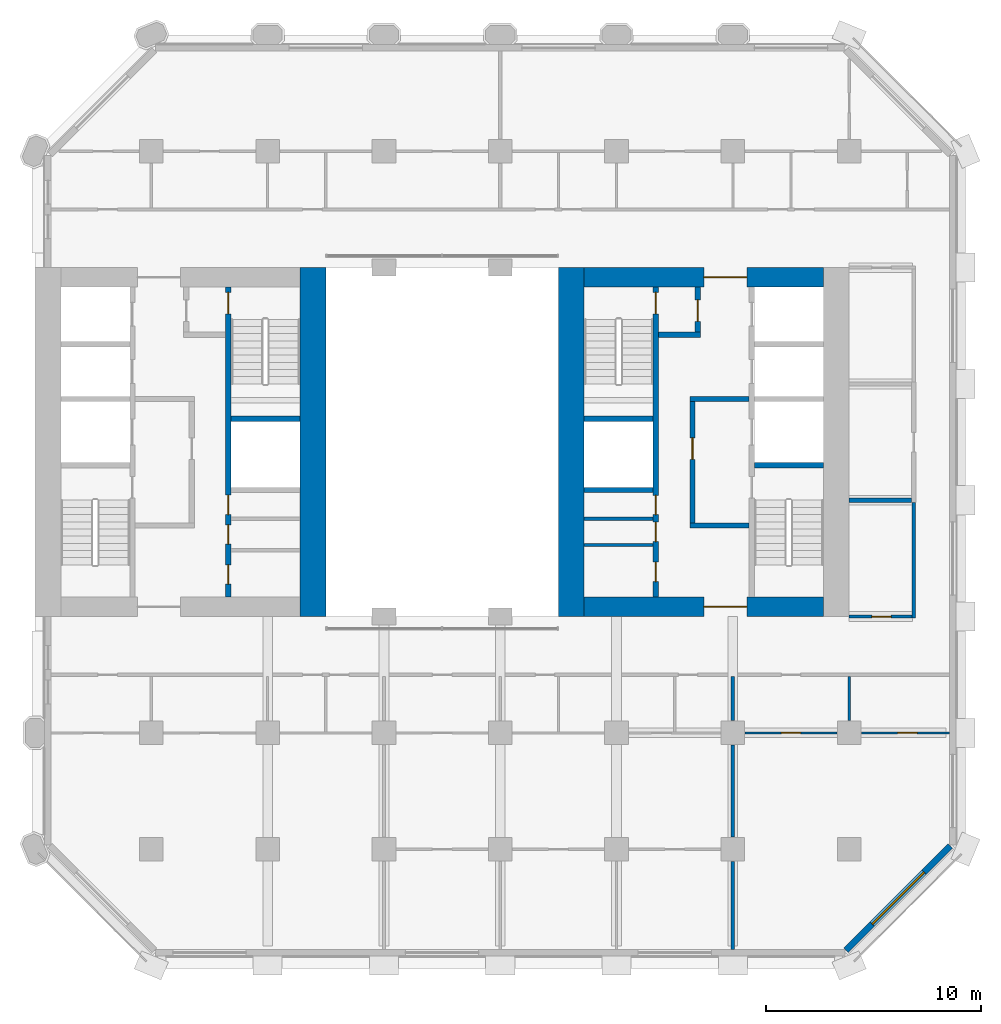
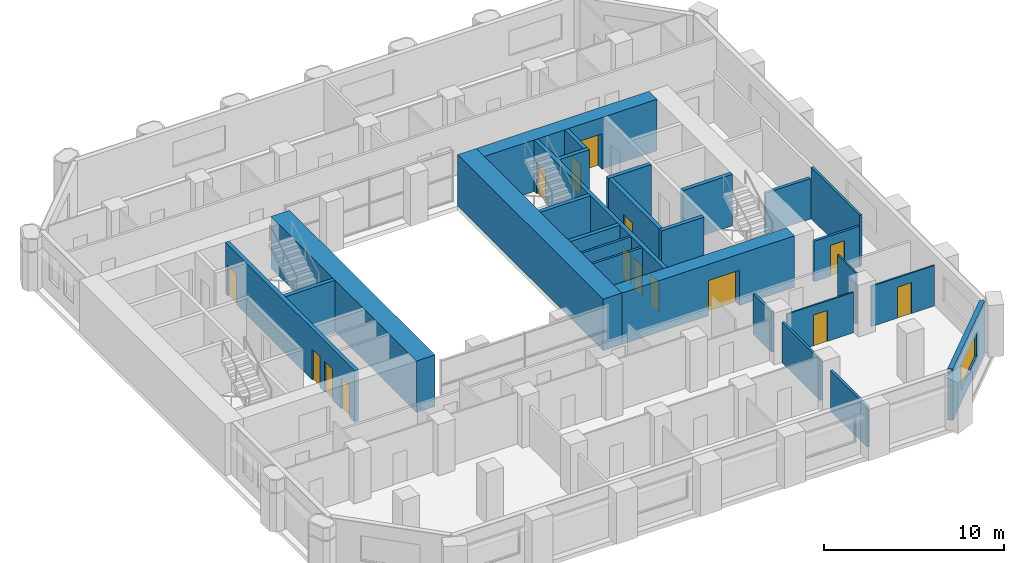
# One storey, part 9 of 13: 27 walls, 15 doors, 1 window, 16 openings.
"""IFC4 building model written with IfcOpenShell, lengths in metres."""

from ifc_helpers import new_model, si_unit, direction, frame, frame_2d, origin, place, context, subcontext, project, spatial, rectangle, extrude, material, layer, layer_set, type_object, element, fill, save


model = new_model("IFC4")

# Units and contexts
model_context = context("Model", 3, precision=1e-05, world=origin(), true_north=direction((0.0, 1.0)))
body_context = subcontext(model_context, "Body", "Model", "MODEL_VIEW")
ifc_project = project(units=[si_unit("LENGTHUNIT", "METRE"), si_unit("AREAUNIT", "SQUARE_METRE"), si_unit("VOLUMEUNIT", "CUBIC_METRE"), si_unit("PLANEANGLEUNIT", "RADIAN"), si_unit("MASSUNIT", "GRAM", prefix="KILO")], contexts=[model_context])

# Site, building, storey
site_placement = place(None, origin())
site = spatial("IfcSite", under=ifc_project, at=site_placement, CompositionType="ELEMENT")
building_placement = place(site_placement, origin())
building = spatial("IfcBuilding", under=site, at=building_placement, Name="Tabaq Tower and Sports Hall", CompositionType="ELEMENT")
storey_placement = place(building_placement, frame((0.0, 0.0, 41.199951171875)))
storey = spatial("IfcBuildingStorey", under=building, at=storey_placement, Name="L08", CompositionType="ELEMENT", Elevation=41.199951171875)

# Walls
ifc_material_1 = material(Name="Blockwork", Category="masonry")
ifc_layer_1 = layer(ifc_material_1, 0.14990234375)
ifc_layer_set_1 = layer_set([ifc_layer_1], Name="Core room partition 150 Blockwork")
wall_type_1 = type_object("IfcWallType", Name="Core room partition 150 Blockwork", PredefinedType="PARTITIONING", material=ifc_layer_set_1)
for number, where, z_axis, x_axis, name in (
    (1, (30.89990234375, 19.52490234375, 0.0), (0.0, 0.0, 1.0), (1.0, 0.0, 0.0), "Core room partition E L08"),
    (2, (30.89990234375, 20.737060546875, 0.0), (0.0, 0.0, 1.0), (1.0, 0.0, 0.0), "Core room partition E L08"),
):
    element("IfcWall", number, at=place(storey_placement, frame(where, z_axis=z_axis, x_axis=x_axis)), inside=storey, type_object=wall_type_1, Name=name, PredefinedType="PARTITIONING", context=body_context, shape_type="SweptSolid", body=[
        extrude(rectangle(XDim=3.2001953125, YDim=0.14990234375, at=frame_2d((1.60009765625, 0.0))), origin(), (0.0, 0.0, 1.0), 3.5),
    ])
ifc_material_2 = material(Name="Concrete C60/75", Category="concrete")
ifc_layer_2 = layer(ifc_material_2, 1.199951171875)
ifc_layer_set_2 = layer_set([ifc_layer_2], Name="Core wall 1200 Concrete C60/75")
wall_type_2 = type_object("IfcWallType", Name="Core wall 1200 Concrete C60/75", PredefinedType="SOLIDWALL", material=ifc_layer_set_2)
for number, where, z_axis, x_axis, name in (
    (3, (18.300048828125, 32.39990234375, 0.0), (0.0, 0.0, 1.0), (0.0, -1.0, 0.0), "Core wall W L08"),
    (4, (30.300048828125, 16.199951171875, 0.0), (0.0, 0.0, 1.0), (0.0, 1.0, 0.0), "Core wall E L08"),
):
    element("IfcWall", number, at=place(storey_placement, frame(where, z_axis=z_axis, x_axis=x_axis)), inside=storey, type_object=wall_type_2, Name=name, PredefinedType="SOLIDWALL", context=body_context, shape_type="SweptSolid", body=[
        extrude(rectangle(XDim=16.199951171875, YDim=1.199951171875, at=frame_2d((8.10009765625, 0.0))), origin(), (0.0, 0.0, 1.0), 3.5),
    ])

# Wall, opening, door
ifc_material_3 = material(Name="Concrete C60/75", Category="concrete")
ifc_layer_3 = layer(ifc_material_3, 0.89990234375)
ifc_layer_set_3 = layer_set([ifc_layer_3], Name="Core wall 900 Concrete C60/75")
wall_type_3 = type_object("IfcWallType", Name="Core wall 900 Concrete C60/75", PredefinedType="SOLIDWALL", material=ifc_layer_set_3)
wall_1_placement = place(storey_placement, frame((42.0, 16.64990234375, 0.0), z_axis=(0.0, 0.0, 1.0), x_axis=(-1.0, 0.0, 0.0)))
wall_1 = element("IfcWall", 5, at=wall_1_placement, inside=storey, type_object=wall_type_3, Name="Core wall E L08", PredefinedType="SOLIDWALL", context=body_context, shape_type="SweptSolid", body=[
    extrude(rectangle(XDim=11.10009765625, YDim=0.89990234375, at=frame_2d((5.550048828125, 0.0))), origin(), (0.0, 0.0, 1.0), 3.5),
])
opening_1_placement = place(wall_1_placement, frame((3.550048828125, 0.0, 0.0)))
opening_1 = element("IfcOpeningElement", 6, at=opening_1_placement, cuts=wall_1, Name="Opening PD-EL08-01", PredefinedType="OPENING", context=body_context, shape_type="SweptSolid", body=[
    extrude(rectangle(XDim=2.0, YDim=2.39990234375, at=frame_2d((1.0, 1.199951171875))), frame((0.0, 0.449951171875, 0.0), z_axis=(0.0, -1.0, 0.0), x_axis=(1.0, 0.0, 0.0)), (0.0, 0.0, 1.0), 0.89990234375),
])
ifc_material_4 = material(Name="Steel fire door", Category="steel")
door_type_1 = type_object("IfcDoorType", Name="Core entrance door 2000", OperationType="DOUBLE_DOOR_SINGLE_SWING", PredefinedType="DOOR", material=ifc_material_4)
door_1_placement = place(opening_1_placement, origin())
door_1 = element("IfcDoor", 7, at=door_1_placement, inside=storey, type_object=door_type_1, Name="Core entrance south E L08", OperationType="DOUBLE_DOOR_SINGLE_SWING", OverallHeight=2.39990234375, OverallWidth=2.0, PredefinedType="DOOR", context=body_context, shape_type="SweptSolid", body=[
    extrude(rectangle(XDim=2.0, YDim=2.39990234375, at=frame_2d((1.0, 1.199951171875))), frame((0.0, 0.02490234375, 0.0), z_axis=(0.0, -1.0, 0.0), x_axis=(1.0, 0.0, 0.0)), (0.0, 0.0, 1.0), 0.050048828125),
])
fill(opening_1, door_1)

wall_2_placement = place(storey_placement, frame((30.89990234375, 31.949951171875, 0.0), z_axis=(0.0, 0.0, 1.0), x_axis=(1.0, 0.0, 0.0)))
wall_2 = element("IfcWall", 8, at=wall_2_placement, inside=storey, type_object=wall_type_3, Name="Core wall E L08", PredefinedType="SOLIDWALL", context=body_context, shape_type="SweptSolid", body=[
    extrude(rectangle(XDim=11.10009765625, YDim=0.89990234375, at=frame_2d((5.550048828125, 0.0))), origin(), (0.0, 0.0, 1.0), 3.5),
])
opening_2_placement = place(wall_2_placement, frame((5.550048828125, 0.0, 0.0)))
opening_2 = element("IfcOpeningElement", 9, at=opening_2_placement, cuts=wall_2, Name="Opening PD-EL08-02", PredefinedType="OPENING", context=body_context, shape_type="SweptSolid", body=[
    extrude(rectangle(XDim=2.0, YDim=2.39990234375, at=frame_2d((1.0, 1.199951171875))), frame((0.0, 0.449951171875, 0.0), z_axis=(0.0, -1.0, 0.0), x_axis=(1.0, 0.0, 0.0)), (0.0, 0.0, 1.0), 0.89990234375),
])
door_2_placement = place(opening_2_placement, origin())
door_2 = element("IfcDoor", 10, at=door_2_placement, inside=storey, type_object=door_type_1, Name="Core entrance north E L08", OperationType="DOUBLE_DOOR_SINGLE_SWING", OverallHeight=2.39990234375, OverallWidth=2.0, PredefinedType="DOOR", context=body_context, shape_type="SweptSolid", body=[
    extrude(rectangle(XDim=2.0, YDim=2.39990234375, at=frame_2d((1.0, 1.199951171875))), frame((0.0, 0.02490234375, 0.0), z_axis=(0.0, -1.0, 0.0), x_axis=(1.0, 0.0, 0.0)), (0.0, 0.0, 1.0), 0.050048828125),
])
fill(opening_2, door_2)

# Wall
ifc_material_5 = material(Name="Blockwork", Category="masonry")
ifc_layer_4 = layer(ifc_material_5, 0.199951171875)
ifc_layer_set_4 = layer_set([ifc_layer_4], Name="Fire compartment wall 200 Blockwork")
wall_type_4 = type_object("IfcWallType", Name="Fire compartment wall 200 Blockwork", PredefinedType="PARTITIONING", material=ifc_layer_set_4)
wall_3_placement = place(storey_placement, frame((46.10009765625, 21.60009765625, 0.0), z_axis=(0.0, 0.0, 1.0), x_axis=(-1.0, 0.0, 0.0)))
element("IfcWall", 11, at=wall_3_placement, inside=storey, type_object=wall_type_4, Name="Compartment wall L08", PredefinedType="PARTITIONING", context=body_context, shape_type="SweptSolid", body=[
    extrude(rectangle(XDim=2.900146484375, YDim=0.199951171875, at=frame_2d((1.4501953125, 0.0))), origin(), (0.0, 0.0, 1.0), 2.75),
])

# Wall, opening, door
ifc_material_6 = material(Name="Gypsum board on steel studs", Category="steel")
ifc_layer_5 = layer(ifc_material_6, 0.10009765625)
ifc_layer_set_5 = layer_set([ifc_layer_5], Name="Partition 100 Gypsum board")
wall_type_5 = type_object("IfcWallType", Name="Partition 100 Gypsum board", PredefinedType="PARTITIONING", material=ifc_layer_set_5)
wall_4_placement = place(storey_placement, frame((38.3701171875, 10.800048828125, 0.0), z_axis=(0.0, 0.0, 1.0), x_axis=(1.0, 0.0, 0.0)))
wall_4 = element("IfcWall", 12, at=wall_4_placement, inside=storey, type_object=wall_type_5, Name="Partition wall L08", PredefinedType="PARTITIONING", context=body_context, shape_type="SweptSolid", body=[
    extrude(rectangle(XDim=4.259765625, YDim=0.10009765625, at=frame_2d((2.1298828125, 0.0))), origin(), (0.0, 0.0, 1.0), 2.75),
])
opening_3_placement = place(wall_4_placement, frame((1.679931640625, 0.0, 0.0)))
opening_3 = element("IfcOpeningElement", 13, at=opening_3_placement, cuts=wall_4, Name="Opening L08-030", PredefinedType="OPENING", context=body_context, shape_type="SweptSolid", body=[
    extrude(rectangle(XDim=0.89990234375, YDim=2.10009765625, at=frame_2d((0.449951171875, 1.050048828125))), frame((0.0, 0.050048828125, 0.0), z_axis=(0.0, -1.0, 0.0), x_axis=(1.0, 0.0, 0.0)), (0.0, 0.0, 1.0), 0.10009765625),
])
ifc_material_7 = material(Name="Timber leaf in steel frame", Category="steel")
door_type_2 = type_object("IfcDoorType", Name="Internal door 900 left hand", OperationType="SINGLE_SWING_LEFT", PredefinedType="DOOR", material=ifc_material_7)
door_3_placement = place(opening_3_placement, origin())
door_3 = element("IfcDoor", 14, at=door_3_placement, inside=storey, type_object=door_type_2, Name="Internal door L08-030", OperationType="SINGLE_SWING_LEFT", OverallHeight=2.10009765625, OverallWidth=0.89990234375, PredefinedType="DOOR", context=body_context, shape_type="SweptSolid", body=[
    extrude(rectangle(XDim=0.89990234375, YDim=2.10009765625, at=frame_2d((0.449951171875, 1.050048828125))), frame((0.0, 0.02490234375, 0.0), z_axis=(0.0, -1.0, 0.0), x_axis=(1.0, 0.0, 0.0)), (0.0, 0.0, 1.0), 0.050048828125),
])
fill(opening_3, door_3)

# Wall
wall_5_placement = place(storey_placement, frame((43.199951171875, 11.3701171875, 0.0), z_axis=(0.0, 0.0, 1.0), x_axis=(0.0, 1.0, 0.0)))
element("IfcWall", 15, at=wall_5_placement, inside=storey, type_object=wall_type_5, Name="Partition wall L08", PredefinedType="PARTITIONING", context=body_context, shape_type="SweptSolid", body=[
    extrude(rectangle(XDim=2.054931640625, YDim=0.10009765625, at=frame_2d((1.02734375, 0.0))), origin(), (0.0, 0.0, 1.0), 3.5),
])

# Wall, opening, door
wall_6_placement = place(storey_placement, frame((43.77001953125, 10.800048828125, 0.0), z_axis=(0.0, 0.0, 1.0), x_axis=(1.0, 0.0, 0.0)))
wall_6 = element("IfcWall", 16, at=wall_6_placement, inside=storey, type_object=wall_type_5, Name="Partition wall L08", PredefinedType="PARTITIONING", context=body_context, shape_type="SweptSolid", body=[
    extrude(rectangle(XDim=4.0791015625, YDim=0.10009765625, at=frame_2d((2.03955078125, 0.0))), origin(), (0.0, 0.0, 1.0), 2.75),
])
opening_4_placement = place(wall_6_placement, frame((1.679931640625, 0.0, 0.0)))
opening_4 = element("IfcOpeningElement", 17, at=opening_4_placement, cuts=wall_6, Name="Opening L08-022", PredefinedType="OPENING", context=body_context, shape_type="SweptSolid", body=[
    extrude(rectangle(XDim=0.89990234375, YDim=2.10009765625, at=frame_2d((0.449951171875, 1.050048828125))), frame((0.0, 0.050048828125, 0.0), z_axis=(0.0, -1.0, 0.0), x_axis=(1.0, 0.0, 0.0)), (0.0, 0.0, 1.0), 0.10009765625),
])
ifc_material_8 = material(Name="Timber leaf in steel frame", Category="steel")
door_type_3 = type_object("IfcDoorType", Name="Internal door 900 right hand", OperationType="SINGLE_SWING_RIGHT", PredefinedType="DOOR", material=ifc_material_8)
door_4_placement = place(opening_4_placement, origin())
door_4 = element("IfcDoor", 18, at=door_4_placement, inside=storey, type_object=door_type_3, Name="Internal door L08-022", OperationType="SINGLE_SWING_RIGHT", OverallHeight=2.10009765625, OverallWidth=0.89990234375, PredefinedType="DOOR", context=body_context, shape_type="SweptSolid", body=[
    extrude(rectangle(XDim=0.89990234375, YDim=2.10009765625, at=frame_2d((0.449951171875, 1.050048828125))), frame((0.0, 0.02490234375, 0.0), z_axis=(0.0, -1.0, 0.0), x_axis=(1.0, 0.0, 0.0)), (0.0, 0.0, 1.0), 0.050048828125),
])
fill(opening_4, door_4)

# Wall
ifc_material_9 = material(Name="Blockwork", Category="masonry")
ifc_layer_6 = layer(ifc_material_9, 0.14990234375)
ifc_layer_set_6 = layer_set([ifc_layer_6], Name="Separating wall 150 Blockwork")
wall_type_6 = type_object("IfcWallType", Name="Separating wall 150 Blockwork", PredefinedType="PARTITIONING", material=ifc_layer_set_6)
wall_7_placement = place(storey_placement, frame((46.199951171875, 21.5, 0.0), z_axis=(0.0, 0.0, 1.0), x_axis=(0.0, -1.0, 0.0)))
element("IfcWall", 19, at=wall_7_placement, inside=storey, type_object=wall_type_6, Name="Separating wall L08", PredefinedType="PARTITIONING", context=body_context, shape_type="SweptSolid", body=[
    extrude(rectangle(XDim=5.375, YDim=0.14990234375, at=frame_2d((2.6875, 0.0))), origin(), (0.0, 0.0, 1.0), 3.5),
])

# Wall, opening, door
wall_8_placement = place(storey_placement, frame((46.125, 16.199951171875, 0.0), z_axis=(0.0, 0.0, 1.0), x_axis=(-1.0, 0.0, 0.0)))
wall_8 = element("IfcWall", 20, at=wall_8_placement, inside=storey, type_object=wall_type_6, Name="Separating wall L08", PredefinedType="PARTITIONING", context=body_context, shape_type="SweptSolid", body=[
    extrude(rectangle(XDim=2.925048828125, YDim=0.14990234375, at=frame_2d((1.46240234375, 0.0))), origin(), (0.0, 0.0, 1.0), 2.75),
])
opening_5_placement = place(wall_8_placement, frame((0.97509765625, 0.0, 0.0)))
opening_5 = element("IfcOpeningElement", 21, at=opening_5_placement, cuts=wall_8, Name="Opening L08-009", PredefinedType="OPENING", context=body_context, shape_type="SweptSolid", body=[
    extrude(rectangle(XDim=0.89990234375, YDim=2.10009765625, at=frame_2d((0.449951171875, 1.050048828125))), frame((0.0, 0.074951171875, 0.0), z_axis=(0.0, -1.0, 0.0), x_axis=(1.0, 0.0, 0.0)), (0.0, 0.0, 1.0), 0.14990234375),
])
door_5_placement = place(opening_5_placement, origin())
door_5 = element("IfcDoor", 22, at=door_5_placement, inside=storey, type_object=door_type_3, Name="Internal door L08-009", OperationType="SINGLE_SWING_RIGHT", OverallHeight=2.10009765625, OverallWidth=0.89990234375, PredefinedType="DOOR", context=body_context, shape_type="SweptSolid", body=[
    extrude(rectangle(XDim=0.89990234375, YDim=2.10009765625, at=frame_2d((0.449951171875, 1.050048828125))), frame((0.0, 0.02490234375, 0.0), z_axis=(0.0, -1.0, 0.0), x_axis=(1.0, 0.0, 0.0)), (0.0, 0.0, 1.0), 0.050048828125),
])
fill(opening_5, door_5)

# Walls
wall_9_placement = place(storey_placement, frame((37.800048828125, 11.3701171875, 0.0), z_axis=(0.0, 0.0, 1.0), x_axis=(0.0, 1.0, 0.0)))
element("IfcWall", 23, at=wall_9_placement, inside=storey, type_object=wall_type_6, Name="Separating wall L08", PredefinedType="PARTITIONING", context=body_context, shape_type="SweptSolid", body=[
    extrude(rectangle(XDim=2.054931640625, YDim=0.14990234375, at=frame_2d((1.02734375, 0.0))), origin(), (0.0, 0.0, 1.0), 2.75),
])
wall_10_placement = place(storey_placement, frame((37.800048828125, 5.969970703125, 0.0), z_axis=(0.0, 0.0, 1.0), x_axis=(0.0, 1.0, 0.0)))
element("IfcWall", 24, at=wall_10_placement, inside=storey, type_object=wall_type_6, Name="Separating wall L08", PredefinedType="PARTITIONING", context=body_context, shape_type="SweptSolid", body=[
    extrude(rectangle(XDim=4.260009765625, YDim=0.14990234375, at=frame_2d((2.1298828125, 0.0))), origin(), (0.0, 0.0, 1.0), 2.75),
])
wall_11_placement = place(storey_placement, frame((37.800048828125, 0.7509765625, 0.0), z_axis=(0.0, 0.0, 1.0), x_axis=(0.0, 1.0, 0.0)))
element("IfcWall", 25, at=wall_11_placement, inside=storey, type_object=wall_type_6, Name="Separating wall L08", PredefinedType="PARTITIONING", context=body_context, shape_type="SweptSolid", body=[
    extrude(rectangle(XDim=4.0791015625, YDim=0.14990234375, at=frame_2d((2.03955078125, 0.0))), origin(), (0.0, 0.0, 1.0), 2.75),
])

# Wall, openings, doors
ifc_material_10 = material(Name="Concrete C40/50", Category="concrete")
ifc_layer_7 = layer(ifc_material_10, 0.25)
ifc_layer_set_7 = layer_set([ifc_layer_7], Name="Shaft and stair wall 250 Concrete C40/50")
wall_type_7 = type_object("IfcWallType", Name="Shaft and stair wall 250 Concrete C40/50", PredefinedType="SOLIDWALL", material=ifc_layer_set_7)
wall_12_placement = place(storey_placement, frame((14.375, 17.10009765625, 0.0), z_axis=(0.0, 0.0, 1.0), x_axis=(0.0, 1.0, 0.0)))
wall_12 = element("IfcWall", 26, at=wall_12_placement, inside=storey, type_object=wall_type_7, Name="Shaft wall W L08", PredefinedType="SOLIDWALL", context=body_context, shape_type="SweptSolid", body=[
    extrude(rectangle(XDim=14.39990234375, YDim=0.25, at=frame_2d((7.199951171875, 0.0))), origin(), (0.0, 0.0, 1.0), 3.5),
])
opening_6_placement = place(wall_12_placement, frame((13.14990234375, 0.0, 0.0)))
opening_6 = element("IfcOpeningElement", 27, at=opening_6_placement, cuts=wall_12, Name="Opening SD-WL08-05", PredefinedType="OPENING", context=body_context, shape_type="SweptSolid", body=[
    extrude(rectangle(XDim=1.0, YDim=2.10009765625, at=frame_2d((0.5, 1.050048828125))), frame((0.0, 0.125, 0.0), z_axis=(0.0, -1.0, 0.0), x_axis=(1.0, 0.0, 0.0)), (0.0, 0.0, 1.0), 0.25),
])
opening_7_placement = place(wall_12_placement, frame((0.60400390625, 0.0, 0.0)))
opening_7 = element("IfcOpeningElement", 28, at=opening_7_placement, cuts=wall_12, Name="Opening RD-WL08-10", PredefinedType="OPENING", context=body_context, shape_type="SweptSolid", body=[
    extrude(rectangle(XDim=0.89990234375, YDim=2.10009765625, at=frame_2d((0.449951171875, 1.050048828125))), frame((0.0, 0.125, 0.0), z_axis=(0.0, -1.0, 0.0), x_axis=(1.0, 0.0, 0.0)), (0.0, 0.0, 1.0), 0.25),
])
opening_8_placement = place(wall_12_placement, frame((2.46044921875, 0.0, 0.0)))
opening_8 = element("IfcOpeningElement", 29, at=opening_8_placement, cuts=wall_12, Name="Opening RD-WL08-11", PredefinedType="OPENING", context=body_context, shape_type="SweptSolid", body=[
    extrude(rectangle(XDim=0.89990234375, YDim=2.10009765625, at=frame_2d((0.449951171875, 1.050048828125))), frame((0.0, 0.125, 0.0), z_axis=(0.0, -1.0, 0.0), x_axis=(1.0, 0.0, 0.0)), (0.0, 0.0, 1.0), 0.25),
])
opening_9_placement = place(wall_12_placement, frame((3.83154296875, 0.0, 0.0)))
opening_9 = element("IfcOpeningElement", 30, at=opening_9_placement, cuts=wall_12, Name="Opening RD-WL08-12", PredefinedType="OPENING", context=body_context, shape_type="SweptSolid", body=[
    extrude(rectangle(XDim=0.89990234375, YDim=2.10009765625, at=frame_2d((0.449951171875, 1.050048828125))), frame((0.0, 0.125, 0.0), z_axis=(0.0, -1.0, 0.0), x_axis=(1.0, 0.0, 0.0)), (0.0, 0.0, 1.0), 0.25),
])
ifc_material_11 = material(Name="Steel fire door", Category="steel")
door_type_4 = type_object("IfcDoorType", Name="Core room door 900", OperationType="SINGLE_SWING_LEFT", PredefinedType="DOOR", material=ifc_material_11)
door_6_placement = place(opening_7_placement, origin())
door_6 = element("IfcDoor", 31, at=door_6_placement, inside=storey, type_object=door_type_4, Name="Door Unisex WC W L08", OperationType="SINGLE_SWING_LEFT", OverallHeight=2.10009765625, OverallWidth=0.89990234375, PredefinedType="DOOR", context=body_context, shape_type="SweptSolid", body=[
    extrude(rectangle(XDim=0.89990234375, YDim=2.10009765625, at=frame_2d((0.449951171875, 1.050048828125))), frame((0.0, 0.02490234375, 0.0), z_axis=(0.0, -1.0, 0.0), x_axis=(1.0, 0.0, 0.0)), (0.0, 0.0, 1.0), 0.050048828125),
])
fill(opening_7, door_6)
door_7_placement = place(opening_8_placement, origin())
door_7 = element("IfcDoor", 32, at=door_7_placement, inside=storey, type_object=door_type_4, Name="Door Accessible WC W L08", OperationType="SINGLE_SWING_LEFT", OverallHeight=2.10009765625, OverallWidth=0.89990234375, PredefinedType="DOOR", context=body_context, shape_type="SweptSolid", body=[
    extrude(rectangle(XDim=0.89990234375, YDim=2.10009765625, at=frame_2d((0.449951171875, 1.050048828125))), frame((0.0, 0.02490234375, 0.0), z_axis=(0.0, -1.0, 0.0), x_axis=(1.0, 0.0, 0.0)), (0.0, 0.0, 1.0), 0.050048828125),
])
fill(opening_8, door_7)
door_8_placement = place(opening_9_placement, origin())
door_8 = element("IfcDoor", 33, at=door_8_placement, inside=storey, type_object=door_type_4, Name="Door Electrical Riser Room W L08", OperationType="SINGLE_SWING_LEFT", OverallHeight=2.10009765625, OverallWidth=0.89990234375, PredefinedType="DOOR", context=body_context, shape_type="SweptSolid", body=[
    extrude(rectangle(XDim=0.89990234375, YDim=2.10009765625, at=frame_2d((0.449951171875, 1.050048828125))), frame((0.0, 0.02490234375, 0.0), z_axis=(0.0, -1.0, 0.0), x_axis=(1.0, 0.0, 0.0)), (0.0, 0.0, 1.0), 0.050048828125),
])
fill(opening_9, door_8)
ifc_material_12 = material(Name="Steel fire door", Category="steel")
door_type_5 = type_object("IfcDoorType", Name="Stair door 1000", OperationType="SINGLE_SWING_LEFT", PredefinedType="DOOR", material=ifc_material_12)
door_9_placement = place(opening_6_placement, origin())
door_9 = element("IfcDoor", 34, at=door_9_placement, inside=storey, type_object=door_type_5, Name="Stair door ST2 W L08", OperationType="SINGLE_SWING_LEFT", OverallHeight=2.10009765625, OverallWidth=1.0, PredefinedType="DOOR", context=body_context, shape_type="SweptSolid", body=[
    extrude(rectangle(XDim=1.0, YDim=2.10009765625, at=frame_2d((0.5, 1.050048828125))), frame((0.0, 0.02490234375, 0.0), z_axis=(0.0, -1.0, 0.0), x_axis=(1.0, 0.0, 0.0)), (0.0, 0.0, 1.0), 0.050048828125),
])
fill(opening_6, door_9)

# Wall
wall_13_placement = place(storey_placement, frame((14.5, 25.375, 0.0), z_axis=(0.0, 0.0, 1.0), x_axis=(1.0, 0.0, 0.0)))
element("IfcWall", 35, at=wall_13_placement, inside=storey, type_object=wall_type_7, Name="Stair enclosure wall W L08", PredefinedType="SOLIDWALL", context=body_context, shape_type="SweptSolid", body=[
    extrude(rectangle(XDim=3.199951171875, YDim=0.25, at=frame_2d((1.60009765625, 0.0))), origin(), (0.0, 0.0, 1.0), 3.5),
])

# Wall, openings, doors
wall_14_placement = place(storey_placement, frame((34.22509765625, 17.10009765625, 0.0), z_axis=(0.0, 0.0, 1.0), x_axis=(0.0, 1.0, 0.0)))
wall_14 = element("IfcWall", 36, at=wall_14_placement, inside=storey, type_object=wall_type_7, Name="Shaft wall E L08", PredefinedType="SOLIDWALL", context=body_context, shape_type="SweptSolid", body=[
    extrude(rectangle(XDim=14.39990234375, YDim=0.25, at=frame_2d((7.199951171875, 0.0))), origin(), (0.0, 0.0, 1.0), 3.5),
])
opening_10_placement = place(wall_14_placement, frame((13.14990234375, 0.0, 0.0)))
opening_10 = element("IfcOpeningElement", 37, at=opening_10_placement, cuts=wall_14, Name="Opening SD-EL08-05", PredefinedType="OPENING", context=body_context, shape_type="SweptSolid", body=[
    extrude(rectangle(XDim=1.0, YDim=2.10009765625, at=frame_2d((0.5, 1.050048828125))), frame((0.0, 0.125, 0.0), z_axis=(0.0, -1.0, 0.0), x_axis=(1.0, 0.0, 0.0)), (0.0, 0.0, 1.0), 0.25),
])
opening_11_placement = place(wall_14_placement, frame((0.72509765625, 0.0, 0.0)))
opening_11 = element("IfcOpeningElement", 38, at=opening_11_placement, cuts=wall_14, Name="Opening RD-EL08-10", PredefinedType="OPENING", context=body_context, shape_type="SweptSolid", body=[
    extrude(rectangle(XDim=0.89990234375, YDim=2.10009765625, at=frame_2d((0.449951171875, 1.050048828125))), frame((0.0, 0.125, 0.0), z_axis=(0.0, -1.0, 0.0), x_axis=(1.0, 0.0, 0.0)), (0.0, 0.0, 1.0), 0.25),
])
opening_12_placement = place(wall_14_placement, frame((2.5810546875, 0.0, 0.0)))
opening_12 = element("IfcOpeningElement", 39, at=opening_12_placement, cuts=wall_14, Name="Opening RD-EL08-11", PredefinedType="OPENING", context=body_context, shape_type="SweptSolid", body=[
    extrude(rectangle(XDim=0.89990234375, YDim=2.10009765625, at=frame_2d((0.449951171875, 1.050048828125))), frame((0.0, 0.125, 0.0), z_axis=(0.0, -1.0, 0.0), x_axis=(1.0, 0.0, 0.0)), (0.0, 0.0, 1.0), 0.25),
])
opening_13_placement = place(wall_14_placement, frame((3.8310546875, 0.0, 0.0)))
opening_13 = element("IfcOpeningElement", 40, at=opening_13_placement, cuts=wall_14, Name="Opening RD-EL08-12", PredefinedType="OPENING", context=body_context, shape_type="SweptSolid", body=[
    extrude(rectangle(XDim=0.89990234375, YDim=2.10009765625, at=frame_2d((0.449951171875, 1.050048828125))), frame((0.0, 0.125, 0.0), z_axis=(0.0, -1.0, 0.0), x_axis=(1.0, 0.0, 0.0)), (0.0, 0.0, 1.0), 0.25),
])
door_10_placement = place(opening_11_placement, origin())
door_10 = element("IfcDoor", 41, at=door_10_placement, inside=storey, type_object=door_type_4, Name="Door Unisex WC E L08", OperationType="SINGLE_SWING_LEFT", OverallHeight=2.10009765625, OverallWidth=0.89990234375, PredefinedType="DOOR", context=body_context, shape_type="SweptSolid", body=[
    extrude(rectangle(XDim=0.89990234375, YDim=2.10009765625, at=frame_2d((0.449951171875, 1.050048828125))), frame((0.0, 0.02490234375, 0.0), z_axis=(0.0, -1.0, 0.0), x_axis=(1.0, 0.0, 0.0)), (0.0, 0.0, 1.0), 0.050048828125),
])
fill(opening_11, door_10)
door_11_placement = place(opening_12_placement, origin())
door_11 = element("IfcDoor", 42, at=door_11_placement, inside=storey, type_object=door_type_4, Name="Door Cleaner's Store E L08", OperationType="SINGLE_SWING_LEFT", OverallHeight=2.10009765625, OverallWidth=0.89990234375, PredefinedType="DOOR", context=body_context, shape_type="SweptSolid", body=[
    extrude(rectangle(XDim=0.89990234375, YDim=2.10009765625, at=frame_2d((0.449951171875, 1.050048828125))), frame((0.0, 0.02490234375, 0.0), z_axis=(0.0, -1.0, 0.0), x_axis=(1.0, 0.0, 0.0)), (0.0, 0.0, 1.0), 0.050048828125),
])
fill(opening_12, door_11)
door_12_placement = place(opening_13_placement, origin())
door_12 = element("IfcDoor", 43, at=door_12_placement, inside=storey, type_object=door_type_4, Name="Door Accessible WC E L08", OperationType="SINGLE_SWING_LEFT", OverallHeight=2.10009765625, OverallWidth=0.89990234375, PredefinedType="DOOR", context=body_context, shape_type="SweptSolid", body=[
    extrude(rectangle(XDim=0.89990234375, YDim=2.10009765625, at=frame_2d((0.449951171875, 1.050048828125))), frame((0.0, 0.02490234375, 0.0), z_axis=(0.0, -1.0, 0.0), x_axis=(1.0, 0.0, 0.0)), (0.0, 0.0, 1.0), 0.050048828125),
])
fill(opening_13, door_12)
door_13_placement = place(opening_10_placement, origin())
door_13 = element("IfcDoor", 44, at=door_13_placement, inside=storey, type_object=door_type_5, Name="Stair door ST4 E L08", OperationType="SINGLE_SWING_LEFT", OverallHeight=2.10009765625, OverallWidth=1.0, PredefinedType="DOOR", context=body_context, shape_type="SweptSolid", body=[
    extrude(rectangle(XDim=1.0, YDim=2.10009765625, at=frame_2d((0.5, 1.050048828125))), frame((0.0, 0.02490234375, 0.0), z_axis=(0.0, -1.0, 0.0), x_axis=(1.0, 0.0, 0.0)), (0.0, 0.0, 1.0), 0.050048828125),
])
fill(opening_10, door_13)

# Walls
wall_15_placement = place(storey_placement, frame((38.800048828125, 23.22509765625, 0.0), z_axis=(0.0, 0.0, 1.0), x_axis=(1.0, 0.0, 0.0)))
element("IfcWall", 45, at=wall_15_placement, inside=storey, type_object=wall_type_7, Name="Stair enclosure wall E L08", PredefinedType="SOLIDWALL", context=body_context, shape_type="SweptSolid", body=[
    extrude(rectangle(XDim=3.199951171875, YDim=0.25, at=frame_2d((1.60009765625, 0.0))), origin(), (0.0, 0.0, 1.0), 3.5),
])
for number, where, z_axis, x_axis, name in (
    (46, (30.89990234375, 25.375, 0.0), (0.0, 0.0, 1.0), (1.0, 0.0, 0.0), "Stair enclosure wall E L08"),
    (47, (30.89990234375, 22.074951171875, 0.0), (0.0, 0.0, 1.0), (1.0, 0.0, 0.0), "Shaft wall E L08"),
):
    element("IfcWall", number, at=place(storey_placement, frame(where, z_axis=z_axis, x_axis=x_axis)), inside=storey, type_object=wall_type_7, Name=name, PredefinedType="SOLIDWALL", context=body_context, shape_type="SweptSolid", body=[
        extrude(rectangle(XDim=3.2001953125, YDim=0.25, at=frame_2d((1.60009765625, 0.0))), origin(), (0.0, 0.0, 1.0), 3.5),
    ])
for number, where, z_axis, x_axis, name in (
    (48, (35.800048828125, 26.300048828125, 0.0), (0.0, 0.0, 1.0), (1.0, 0.0, 0.0), "Fire-fighting lobby wall E L08"),
    (49, (35.800048828125, 20.425048828125, 0.0), (0.0, 0.0, 1.0), (1.0, 0.0, 0.0), "Fire-fighting lobby wall E L08"),
):
    element("IfcWall", number, at=place(storey_placement, frame(where, z_axis=z_axis, x_axis=x_axis)), inside=storey, type_object=wall_type_7, Name=name, PredefinedType="SOLIDWALL", context=body_context, shape_type="SweptSolid", body=[
        extrude(rectangle(XDim=2.75, YDim=0.25, at=frame_2d((1.375, 0.0))), origin(), (0.0, 0.0, 1.0), 3.5),
    ])

# Wall, opening, door
wall_16_placement = place(storey_placement, frame((36.175048828125, 29.39990234375, 0.0), z_axis=(0.0, 0.0, 1.0), x_axis=(0.0, 1.0, 0.0)))
wall_16 = element("IfcWall", 50, at=wall_16_placement, inside=storey, type_object=wall_type_7, Name="Fire-fighting lobby wall E L08", PredefinedType="SOLIDWALL", context=body_context, shape_type="SweptSolid", body=[
    extrude(rectangle(XDim=2.10009765625, YDim=0.25, at=frame_2d((1.050048828125, 0.0))), origin(), (0.0, 0.0, 1.0), 3.5),
])
opening_14_placement = place(wall_16_placement, frame((0.5, 0.0, 0.0)))
opening_14 = element("IfcOpeningElement", 51, at=opening_14_placement, cuts=wall_16, Name="Opening FD-EL08-06", PredefinedType="OPENING", context=body_context, shape_type="SweptSolid", body=[
    extrude(rectangle(XDim=1.0, YDim=2.10009765625, at=frame_2d((0.5, 1.050048828125))), frame((0.0, 0.125, 0.0), z_axis=(0.0, -1.0, 0.0), x_axis=(1.0, 0.0, 0.0)), (0.0, 0.0, 1.0), 0.25),
])
ifc_material_13 = material(Name="Steel fire door", Category="steel")
door_type_6 = type_object("IfcDoorType", Name="Fire-fighting lobby door 1000", OperationType="SINGLE_SWING_LEFT", PredefinedType="DOOR", material=ifc_material_13)
door_14_placement = place(opening_14_placement, origin())
door_14 = element("IfcDoor", 52, at=door_14_placement, inside=storey, type_object=door_type_6, Name="Stair lobby door E L08", OperationType="SINGLE_SWING_LEFT", OverallHeight=2.10009765625, OverallWidth=1.0, PredefinedType="DOOR", context=body_context, shape_type="SweptSolid", body=[
    extrude(rectangle(XDim=1.0, YDim=2.10009765625, at=frame_2d((0.5, 1.050048828125))), frame((0.0, 0.02490234375, 0.0), z_axis=(0.0, -1.0, 0.0), x_axis=(1.0, 0.0, 0.0)), (0.0, 0.0, 1.0), 0.050048828125),
])
fill(opening_14, door_14)

# Wall
wall_17_placement = place(storey_placement, frame((34.35009765625, 29.27490234375, 0.0), z_axis=(0.0, 0.0, 1.0), x_axis=(1.0, 0.0, 0.0)))
element("IfcWall", 53, at=wall_17_placement, inside=storey, type_object=wall_type_7, Name="Fire-fighting lobby wall E L08", PredefinedType="SOLIDWALL", context=body_context, shape_type="SweptSolid", body=[
    extrude(rectangle(XDim=1.949951171875, YDim=0.25, at=frame_2d((0.97509765625, 0.0))), origin(), (0.0, 0.0, 1.0), 3.5),
])

# Wall, opening, door
wall_18_placement = place(storey_placement, frame((35.925048828125, 20.550048828125, 0.0), z_axis=(0.0, 0.0, 1.0), x_axis=(0.0, 1.0, 0.0)))
wall_18 = element("IfcWall", 54, at=wall_18_placement, inside=storey, type_object=wall_type_7, Name="Fire-fighting lobby wall E L08", PredefinedType="SOLIDWALL", context=body_context, shape_type="SweptSolid", body=[
    extrude(rectangle(XDim=5.625, YDim=0.25, at=frame_2d((2.8125, 0.0))), origin(), (0.0, 0.0, 1.0), 3.5),
])
opening_15_placement = place(wall_18_placement, frame((2.949951171875, 0.0, 0.0)))
opening_15 = element("IfcOpeningElement", 55, at=opening_15_placement, cuts=wall_18, Name="Opening FD-EL08-04", PredefinedType="OPENING", context=body_context, shape_type="SweptSolid", body=[
    extrude(rectangle(XDim=1.0, YDim=2.10009765625, at=frame_2d((0.5, 1.050048828125))), frame((0.0, 0.125, 0.0), z_axis=(0.0, -1.0, 0.0), x_axis=(1.0, 0.0, 0.0)), (0.0, 0.0, 1.0), 0.25),
])
door_15_placement = place(opening_15_placement, origin())
door_15 = element("IfcDoor", 56, at=door_15_placement, inside=storey, type_object=door_type_6, Name="Fire-fighting lobby door E L08", OperationType="SINGLE_SWING_LEFT", OverallHeight=2.10009765625, OverallWidth=1.0, PredefinedType="DOOR", context=body_context, shape_type="SweptSolid", body=[
    extrude(rectangle(XDim=1.0, YDim=2.10009765625, at=frame_2d((0.5, 1.050048828125))), frame((0.0, 0.02490234375, 0.0), z_axis=(0.0, -1.0, 0.0), x_axis=(1.0, 0.0, 0.0)), (0.0, 0.0, 1.0), 0.050048828125),
])
fill(opening_15, door_15)

# Wall, opening, window
ifc_material_14 = material(Name="White precast concrete C60/75", Category="concrete")
ifc_layer_8 = layer(ifc_material_14, 0.300048828125)
ifc_layer_set_8 = layer_set([ifc_layer_8], Name="White precast concrete C60/75 external wall 300")
wall_type_8 = type_object("IfcWallType", Name="White precast concrete C60/75 external wall 300", PredefinedType="SOLIDWALL", material=ifc_layer_set_8)
wall_19_placement = place(storey_placement, frame((43.050537109375, 0.698974609375, 0.0), z_axis=(0.0, 0.0, 1.0), x_axis=(0.707106781187, 0.707106781187, 0.0)))
wall_19 = element("IfcWall", 57, at=wall_19_placement, inside=storey, type_object=wall_type_8, Name="External Wall L08 SE", PredefinedType="SOLIDWALL", context=body_context, shape_type="SweptSolid", body=[
    extrude(rectangle(XDim=6.85986328125, YDim=0.300048828125, at=frame_2d((3.429931640625, 0.0))), origin(), (0.0, 0.0, 1.0), 3.5),
])
opening_16_placement = place(wall_19_placement, frame((1.729736328125, 0.0, 0.89990234375)))
opening_16 = element("IfcOpeningElement", 58, at=opening_16_placement, cuts=wall_19, Name="Opening W1A", PredefinedType="OPENING", context=body_context, shape_type="SweptSolid", body=[
    extrude(rectangle(XDim=3.39990234375, YDim=1.699951171875, at=frame_2d((1.699951171875, 0.85009765625))), frame((0.0, 0.16015625, 0.0), z_axis=(0.0, -1.0, 0.0), x_axis=(1.0, 0.0, 0.0)), (0.0, 0.0, 1.0), 0.320068359375),
])
ifc_material_15 = material(Name="Aluminium framed clear glazing", Category="aluminium")
window_type = type_object("IfcWindowType", Name="Window W1A", PartitioningType="SINGLE_PANEL", PredefinedType="WINDOW", material=ifc_material_15)
window_placement = place(opening_16_placement, origin())
window = element("IfcWindow", 59, at=window_placement, inside=storey, type_object=window_type, Name="Window W1A L08", OverallHeight=1.699951171875, OverallWidth=3.39990234375, PartitioningType="SINGLE_PANEL", PredefinedType="WINDOW", context=body_context, shape_type="SweptSolid", body=[
    extrude(rectangle(XDim=3.39990234375, YDim=1.699951171875, at=frame_2d((1.699951171875, 0.85009765625))), frame((0.0, 0.030029296875, 0.0), z_axis=(0.0, -1.0, 0.0), x_axis=(1.0, 0.0, 0.0)), (0.0, 0.0, 1.0), 0.06005859375),
])
fill(opening_16, window)

save(model, "model.ifc")
